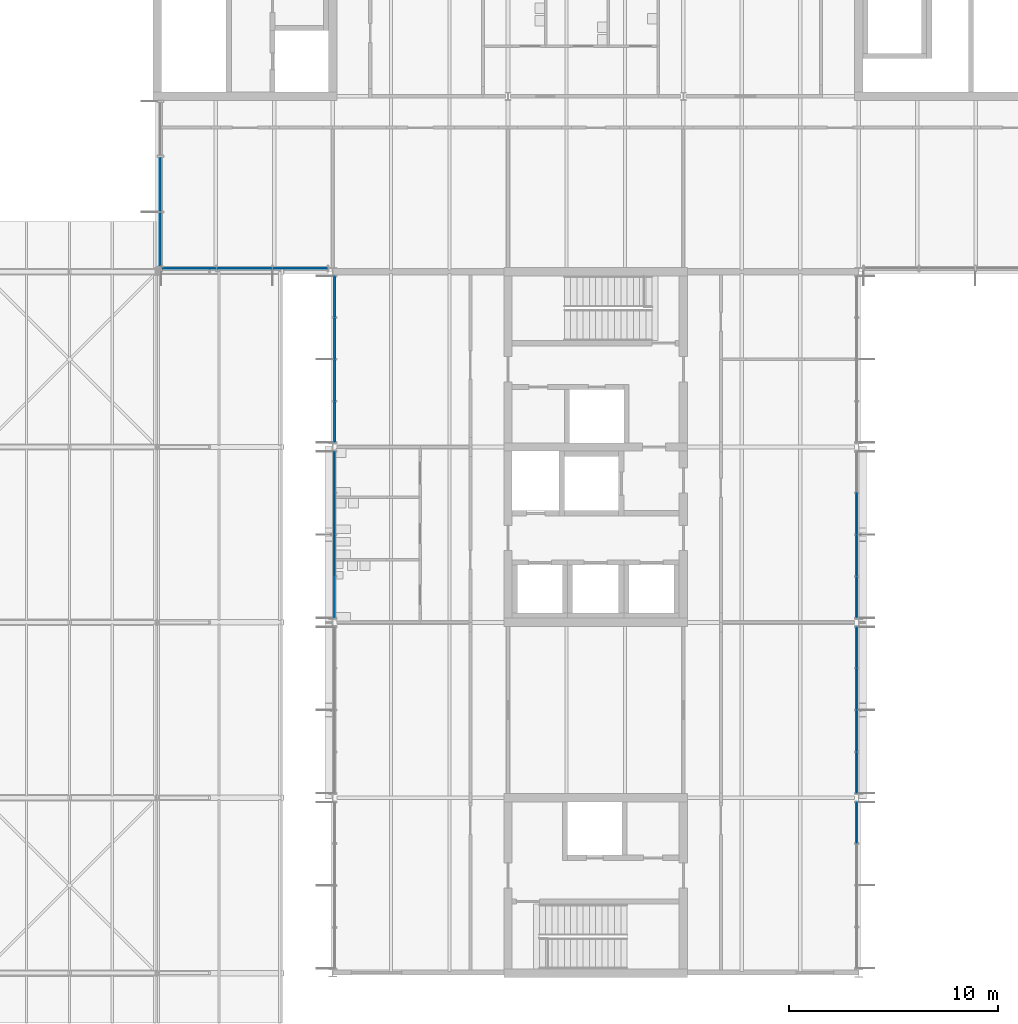
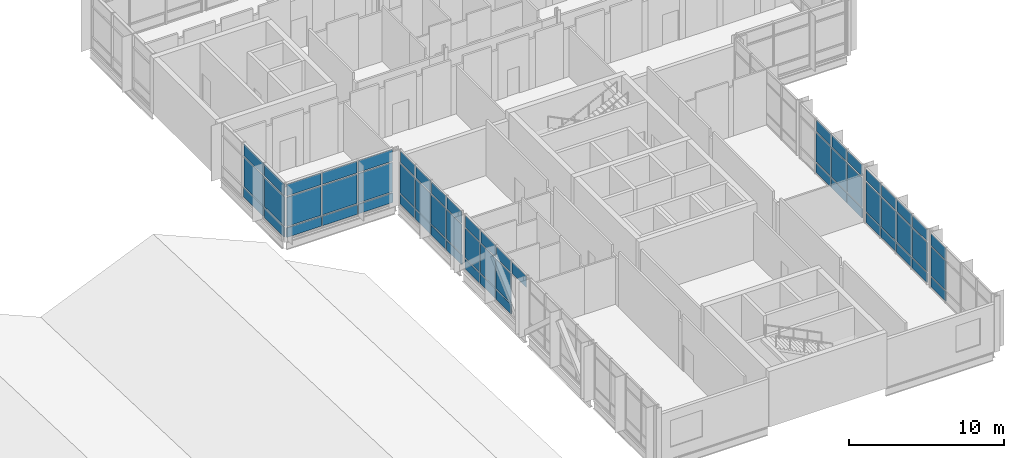
# One storey, part 28 of 76: 61 plates, 7 elements without a shape of their own.
"""IFC4 building model written with IfcOpenShell, lengths in metres."""

from ifc_helpers import new_model, si_unit, direction, frame, origin, origin_2d, place, context, subcontext, project, spatial, rectangle, extrude, material, layer, layer_set, type_object, element, aggregate, save


model = new_model("IFC4")

# Units and contexts
model_context = context("Model", 3, precision=1e-05, world=origin(), true_north=direction((0.0, 1.0)))
body_context = subcontext(model_context, "Body", "Model", "MODEL_VIEW")
ifc_project = project(units=[si_unit("LENGTHUNIT", "METRE"), si_unit("AREAUNIT", "SQUARE_METRE"), si_unit("VOLUMEUNIT", "CUBIC_METRE"), si_unit("PLANEANGLEUNIT", "RADIAN"), si_unit("MASSUNIT", "GRAM", prefix="KILO")], contexts=[model_context])

# Site, building, storey
site_placement = place(None, origin())
site = spatial("IfcSite", under=ifc_project, at=site_placement, CompositionType="ELEMENT")
building_placement = place(site_placement, origin())
building = spatial("IfcBuilding", under=site, at=building_placement, Name="Hlaing Beacon Police Headquarters", CompositionType="ELEMENT")
storey_placement = place(building_placement, frame((0.0, 0.0, 18.89990234375)))
storey = spatial("IfcBuildingStorey", under=building, at=storey_placement, Name="L04", CompositionType="ELEMENT", Elevation=18.89990234375)

# Curtain wall, plate
ifc_material_1 = material(Name="Aluminium frame with solar control glazing", Category="aluminium")
curtain_wall_type_1 = type_object("IfcCurtainWallType", Name="Unitised curtain wall 8.01 x 4.37", PredefinedType="NOTDEFINED", material=ifc_material_1)
curtain_wall_1_placement = place(storey_placement, origin())
curtain_wall_1 = element("IfcCurtainWall", 1, at=curtain_wall_1_placement, inside=storey, type_object=curtain_wall_type_1, Name="ENV-CW-L04-E004", PredefinedType="NOTDEFINED")
ifc_material_2 = material(Name="Solar control glazing", Category="glass")
ifc_layer_1 = layer(ifc_material_2, 0.0439453125)
ifc_layer_set_1 = layer_set([ifc_layer_1], Name="Solar control glazing")
plate_type_1 = type_object("IfcPlateType", Name="Clear glazing panel 44", PredefinedType="CURTAIN_PANEL", material=ifc_layer_set_1)
plate_1_placement = place(storey_placement, frame((125.89990234375, 40.7958984375, 0.9501953125), z_axis=(0.0, 0.0, 1.0), x_axis=(0.0, 1.0, 0.0)))
plate_1 = element("IfcPlate", 2, at=plate_1_placement, type_object=plate_type_1, Name="CW-L04-E004 panel 4.2", PredefinedType="CURTAIN_PANEL", context=body_context, shape_type="SweptSolid", body=[
    extrude(rectangle(XDim=1.912109375, YDim=0.0439453125, at=origin_2d()), origin(), (0.0, 0.0, 1.0), 2.300048828125),
])

# Curtain wall, plates
ifc_material_3 = material(Name="Aluminium frame with solar control glazing", Category="aluminium")
curtain_wall_type_2 = type_object("IfcCurtainWallType", Name="Unitised curtain wall 8.02 x 4.37", PredefinedType="NOTDEFINED", material=ifc_material_3)
curtain_wall_2_placement = place(storey_placement, origin())
curtain_wall_2 = element("IfcCurtainWall", 3, at=curtain_wall_2_placement, inside=storey, type_object=curtain_wall_type_2, Name="ENV-CW-L04-E005", PredefinedType="NOTDEFINED")
plate_2_placement = place(storey_placement, frame((125.909912109375, 45.197021484375, 0.9501953125), z_axis=(0.0, 0.0, 1.0), x_axis=(0.0, 1.0, 0.0)))
plate_2 = element("IfcPlate", 4, at=plate_2_placement, type_object=plate_type_1, Name="CW-L04-E005 panel 2.2", PredefinedType="CURTAIN_PANEL", context=body_context, shape_type="SweptSolid", body=[
    extrude(rectangle(XDim=1.946044921875, YDim=0.0439453125, at=origin_2d()), origin(), (0.0, 0.0, 1.0), 2.300048828125),
])
plate_3_placement = place(storey_placement, frame((125.909912109375, 49.194091796875, 0.9501953125), z_axis=(0.0, 0.0, 1.0), x_axis=(0.0, 1.0, 0.0)))
plate_3 = element("IfcPlate", 5, at=plate_3_placement, type_object=plate_type_1, Name="CW-L04-E005 panel 4.2", PredefinedType="CURTAIN_PANEL", context=body_context, shape_type="SweptSolid", body=[
    extrude(rectangle(XDim=1.916015625, YDim=0.0439453125, at=origin_2d()), origin(), (0.0, 0.0, 1.0), 2.300048828125),
])

# Curtain wall, plate
curtain_wall_3_placement = place(storey_placement, origin())
curtain_wall_3 = element("IfcCurtainWall", 6, at=curtain_wall_3_placement, inside=storey, type_object=curtain_wall_type_2, Name="ENV-CW-L04-E006", PredefinedType="NOTDEFINED")
plate_4_placement = place(storey_placement, frame((125.909912109375, 53.596923828125, 0.9501953125), z_axis=(0.0, 0.0, 1.0), x_axis=(0.0, 1.0, 0.0)))
plate_4 = element("IfcPlate", 7, at=plate_4_placement, type_object=plate_type_1, Name="CW-L04-E006 panel 2.2", PredefinedType="CURTAIN_PANEL", context=body_context, shape_type="SweptSolid", body=[
    extrude(rectangle(XDim=1.946044921875, YDim=0.0439453125, at=origin_2d()), origin(), (0.0, 0.0, 1.0), 2.300048828125),
])

# Curtain wall, plates
ifc_material_4 = material(Name="Aluminium frame with solar control glazing", Category="aluminium")
curtain_wall_type_3 = type_object("IfcCurtainWallType", Name="Unitised curtain wall 8.03 x 4.37", PredefinedType="NOTDEFINED", material=ifc_material_4)
curtain_wall_4_placement = place(storey_placement, origin())
curtain_wall_4 = element("IfcCurtainWall", 8, at=curtain_wall_4_placement, inside=storey, type_object=curtain_wall_type_3, Name="ENV-CW-L04-W019", PredefinedType="NOTDEFINED")
plate_5_placement = place(storey_placement, frame((100.89990234375, 64.00537109375, 0.9501953125), z_axis=(0.0, 0.0, 1.0), x_axis=(0.0, -1.0, 0.0)))
plate_5 = element("IfcPlate", 9, at=plate_5_placement, type_object=plate_type_1, Name="CW-L04-W019 panel 2.2", PredefinedType="CURTAIN_PANEL", context=body_context, shape_type="SweptSolid", body=[
    extrude(rectangle(XDim=1.947021484375, YDim=0.0439453125, at=origin_2d()), origin(), (0.0, 0.0, 1.0), 2.300048828125),
])
plate_6_placement = place(storey_placement, frame((100.89990234375, 60.006591796875, 0.9501953125), z_axis=(0.0, 0.0, 1.0), x_axis=(0.0, -1.0, 0.0)))
plate_6 = element("IfcPlate", 10, at=plate_6_placement, type_object=plate_type_1, Name="CW-L04-W019 panel 4.2", PredefinedType="CURTAIN_PANEL", context=body_context, shape_type="SweptSolid", body=[
    extrude(rectangle(XDim=1.9169921875, YDim=0.0439453125, at=origin_2d()), origin(), (0.0, 0.0, 1.0), 2.300048828125),
])

# Curtain wall, plate
curtain_wall_5_placement = place(storey_placement, origin())
curtain_wall_5 = element("IfcCurtainWall", 11, at=curtain_wall_5_placement, inside=storey, type_object=curtain_wall_type_2, Name="ENV-CW-L04-W020", PredefinedType="NOTDEFINED")
plate_7_placement = place(storey_placement, frame((100.889892578125, 55.60302734375, 0.9501953125), z_axis=(0.0, 0.0, 1.0), x_axis=(0.0, -1.0, 0.0)))
plate_7 = element("IfcPlate", 12, at=plate_7_placement, type_object=plate_type_1, Name="CW-L04-W020 panel 2.2", PredefinedType="CURTAIN_PANEL", context=body_context, shape_type="SweptSolid", body=[
    extrude(rectangle(XDim=1.946044921875, YDim=0.0439453125, at=origin_2d()), origin(), (0.0, 0.0, 1.0), 2.300048828125),
])

# Plate
ifc_material_5 = material(Name="Fritted solar control glazing", Category="glass")
ifc_layer_2 = layer(ifc_material_5, 0.0439453125)
ifc_layer_set_2 = layer_set([ifc_layer_2], Name="Fritted solar control glazing")
plate_type_2 = type_object("IfcPlateType", Name="Fritted glazing panel 44", PredefinedType="CURTAIN_PANEL", material=ifc_layer_set_2)
plate_8_placement = place(storey_placement, frame((125.909912109375, 43.2060546875, 0.9501953125), z_axis=(0.0, 0.0, 1.0), x_axis=(0.0, 1.0, 0.0)))
plate_8 = element("IfcPlate", 13, at=plate_8_placement, type_object=plate_type_2, Name="CW-L04-E005 panel 1.2", PredefinedType="CURTAIN_PANEL", context=body_context, shape_type="SweptSolid", body=[
    extrude(rectangle(XDim=1.916015625, YDim=0.0439453125, at=origin_2d()), origin(), (0.0, 0.0, 1.0), 2.300048828125),
])

plate_9_placement = place(storey_placement, frame((125.909912109375, 47.202880859375, 0.9501953125), z_axis=(0.0, 0.0, 1.0), x_axis=(0.0, 1.0, 0.0)))
plate_9 = element("IfcPlate", 14, at=plate_9_placement, type_object=plate_type_2, Name="CW-L04-E005 panel 3.2", PredefinedType="CURTAIN_PANEL", context=body_context, shape_type="SweptSolid", body=[
    extrude(rectangle(XDim=1.946044921875, YDim=0.0439453125, at=origin_2d()), origin(), (0.0, 0.0, 1.0), 2.300048828125),
])

plate_10_placement = place(storey_placement, frame((125.909912109375, 51.60595703125, 0.9501953125), z_axis=(0.0, 0.0, 1.0), x_axis=(0.0, 1.0, 0.0)))
plate_10 = element("IfcPlate", 15, at=plate_10_placement, type_object=plate_type_2, Name="CW-L04-E006 panel 1.2", PredefinedType="CURTAIN_PANEL", context=body_context, shape_type="SweptSolid", body=[
    extrude(rectangle(XDim=1.916015625, YDim=0.0439453125, at=origin_2d()), origin(), (0.0, 0.0, 1.0), 2.300048828125),
])

plate_11_placement = place(storey_placement, frame((125.909912109375, 55.60302734375, 0.9501953125), z_axis=(0.0, 0.0, 1.0), x_axis=(0.0, 1.0, 0.0)))
plate_11 = element("IfcPlate", 16, at=plate_11_placement, type_object=plate_type_2, Name="CW-L04-E006 panel 3.2", PredefinedType="CURTAIN_PANEL", context=body_context, shape_type="SweptSolid", body=[
    extrude(rectangle(XDim=1.946044921875, YDim=0.0439453125, at=origin_2d()), origin(), (0.0, 0.0, 1.0), 2.300048828125),
])

plate_12_placement = place(storey_placement, frame((100.89990234375, 65.997314453125, 0.9501953125), z_axis=(0.0, 0.0, 1.0), x_axis=(0.0, -1.0, 0.0)))
plate_12 = element("IfcPlate", 17, at=plate_12_placement, type_object=plate_type_2, Name="CW-L04-W019 panel 1.2", PredefinedType="CURTAIN_PANEL", context=body_context, shape_type="SweptSolid", body=[
    extrude(rectangle(XDim=1.9169921875, YDim=0.0439453125, at=origin_2d()), origin(), (0.0, 0.0, 1.0), 2.300048828125),
])

plate_13_placement = place(storey_placement, frame((100.89990234375, 61.99853515625, 0.9501953125), z_axis=(0.0, 0.0, 1.0), x_axis=(0.0, -1.0, 0.0)))
plate_13 = element("IfcPlate", 18, at=plate_13_placement, type_object=plate_type_2, Name="CW-L04-W019 panel 3.2", PredefinedType="CURTAIN_PANEL", context=body_context, shape_type="SweptSolid", body=[
    extrude(rectangle(XDim=1.947021484375, YDim=0.0439453125, at=origin_2d()), origin(), (0.0, 0.0, 1.0), 2.300048828125),
])

plate_14_placement = place(storey_placement, frame((100.889892578125, 57.593994140625, 0.9501953125), z_axis=(0.0, 0.0, 1.0), x_axis=(0.0, -1.0, 0.0)))
plate_14 = element("IfcPlate", 19, at=plate_14_placement, type_object=plate_type_2, Name="CW-L04-W020 panel 1.2", PredefinedType="CURTAIN_PANEL", context=body_context, shape_type="SweptSolid", body=[
    extrude(rectangle(XDim=1.916015625, YDim=0.0439453125, at=origin_2d()), origin(), (0.0, 0.0, 1.0), 2.300048828125),
])

plate_15_placement = place(storey_placement, frame((100.889892578125, 53.596923828125, 0.9501953125), z_axis=(0.0, 0.0, 1.0), x_axis=(0.0, -1.0, 0.0)))
plate_15 = element("IfcPlate", 20, at=plate_15_placement, type_object=plate_type_2, Name="CW-L04-W020 panel 3.2", PredefinedType="CURTAIN_PANEL", context=body_context, shape_type="SweptSolid", body=[
    extrude(rectangle(XDim=1.946044921875, YDim=0.0439453125, at=origin_2d()), origin(), (0.0, 0.0, 1.0), 2.300048828125),
])

ifc_material_6 = material(Name="Insulated aluminium spandrel", Category="aluminium")
ifc_layer_3 = layer(ifc_material_6, 0.06005859375)
ifc_layer_set_3 = layer_set([ifc_layer_3], Name="Insulated aluminium spandrel")
plate_type_3 = type_object("IfcPlateType", Name="Insulated spandrel panel 60", PredefinedType="CURTAIN_PANEL", material=ifc_layer_set_3)
plate_16_placement = place(storey_placement, frame((125.89990234375, 40.7958984375, 0.10009765625), z_axis=(0.0, 0.0, 1.0), x_axis=(0.0, 1.0, 0.0)))
plate_16 = element("IfcPlate", 21, at=plate_16_placement, type_object=plate_type_3, Name="CW-L04-E004 panel 4.1", PredefinedType="CURTAIN_PANEL", context=body_context, shape_type="SweptSolid", body=[
    extrude(rectangle(XDim=1.912109375, YDim=0.06005859375, at=origin_2d()), origin(), (0.0, 0.0, 1.0), 0.75),
])

plate_17_placement = place(storey_placement, frame((125.909912109375, 43.2060546875, 0.10009765625), z_axis=(0.0, 0.0, 1.0), x_axis=(0.0, 1.0, 0.0)))
plate_17 = element("IfcPlate", 22, at=plate_17_placement, type_object=plate_type_3, Name="CW-L04-E005 panel 1.1", PredefinedType="CURTAIN_PANEL", context=body_context, shape_type="SweptSolid", body=[
    extrude(rectangle(XDim=1.916015625, YDim=0.06005859375, at=origin_2d()), origin(), (0.0, 0.0, 1.0), 0.75),
])

plate_18_placement = place(storey_placement, frame((125.909912109375, 45.197021484375, 0.10009765625), z_axis=(0.0, 0.0, 1.0), x_axis=(0.0, 1.0, 0.0)))
plate_18 = element("IfcPlate", 23, at=plate_18_placement, type_object=plate_type_3, Name="CW-L04-E005 panel 2.1", PredefinedType="CURTAIN_PANEL", context=body_context, shape_type="SweptSolid", body=[
    extrude(rectangle(XDim=1.946044921875, YDim=0.06005859375, at=origin_2d()), origin(), (0.0, 0.0, 1.0), 0.75),
])

plate_19_placement = place(storey_placement, frame((125.909912109375, 47.202880859375, 0.10009765625), z_axis=(0.0, 0.0, 1.0), x_axis=(0.0, 1.0, 0.0)))
plate_19 = element("IfcPlate", 24, at=plate_19_placement, type_object=plate_type_3, Name="CW-L04-E005 panel 3.1", PredefinedType="CURTAIN_PANEL", context=body_context, shape_type="SweptSolid", body=[
    extrude(rectangle(XDim=1.946044921875, YDim=0.06005859375, at=origin_2d()), origin(), (0.0, 0.0, 1.0), 0.75),
])

plate_20_placement = place(storey_placement, frame((125.909912109375, 49.194091796875, 0.10009765625), z_axis=(0.0, 0.0, 1.0), x_axis=(0.0, 1.0, 0.0)))
plate_20 = element("IfcPlate", 25, at=plate_20_placement, type_object=plate_type_3, Name="CW-L04-E005 panel 4.1", PredefinedType="CURTAIN_PANEL", context=body_context, shape_type="SweptSolid", body=[
    extrude(rectangle(XDim=1.916015625, YDim=0.06005859375, at=origin_2d()), origin(), (0.0, 0.0, 1.0), 0.75),
])

plate_21_placement = place(storey_placement, frame((125.909912109375, 51.60595703125, 0.10009765625), z_axis=(0.0, 0.0, 1.0), x_axis=(0.0, 1.0, 0.0)))
plate_21 = element("IfcPlate", 26, at=plate_21_placement, type_object=plate_type_3, Name="CW-L04-E006 panel 1.1", PredefinedType="CURTAIN_PANEL", context=body_context, shape_type="SweptSolid", body=[
    extrude(rectangle(XDim=1.916015625, YDim=0.06005859375, at=origin_2d()), origin(), (0.0, 0.0, 1.0), 0.75),
])

plate_22_placement = place(storey_placement, frame((125.909912109375, 53.596923828125, 0.10009765625), z_axis=(0.0, 0.0, 1.0), x_axis=(0.0, 1.0, 0.0)))
plate_22 = element("IfcPlate", 27, at=plate_22_placement, type_object=plate_type_3, Name="CW-L04-E006 panel 2.1", PredefinedType="CURTAIN_PANEL", context=body_context, shape_type="SweptSolid", body=[
    extrude(rectangle(XDim=1.946044921875, YDim=0.06005859375, at=origin_2d()), origin(), (0.0, 0.0, 1.0), 0.75),
])

plate_23_placement = place(storey_placement, frame((125.909912109375, 55.60302734375, 0.10009765625), z_axis=(0.0, 0.0, 1.0), x_axis=(0.0, 1.0, 0.0)))
plate_23 = element("IfcPlate", 28, at=plate_23_placement, type_object=plate_type_3, Name="CW-L04-E006 panel 3.1", PredefinedType="CURTAIN_PANEL", context=body_context, shape_type="SweptSolid", body=[
    extrude(rectangle(XDim=1.946044921875, YDim=0.06005859375, at=origin_2d()), origin(), (0.0, 0.0, 1.0), 0.75),
])

# Curtain wall, plates
ifc_material_7 = material(Name="Aluminium frame with solar control glazing", Category="aluminium")
curtain_wall_type_4 = type_object("IfcCurtainWallType", Name="Structural glazed gable wall 8.02 x 4.37", PredefinedType="NOTDEFINED", material=ifc_material_7)
curtain_wall_6_placement = place(storey_placement, origin())
curtain_wall_6 = element("IfcCurtainWall", 29, at=curtain_wall_6_placement, inside=storey, type_object=curtain_wall_type_4, Name="ENV-CW-L04-W017", PredefinedType="NOTDEFINED")
ifc_material_8 = material(Name="Insulated aluminium spandrel", Category="aluminium")
ifc_layer_4 = layer(ifc_material_8, 0.080078125)
ifc_layer_set_4 = layer_set([ifc_layer_4], Name="Insulated aluminium spandrel")
plate_type_4 = type_object("IfcPlateType", Name="Insulated spandrel panel 80", PredefinedType="CURTAIN_PANEL", material=ifc_layer_set_4)
plate_24_placement = place(storey_placement, frame((92.550048828125, 71.38818359375, 0.10009765625), z_axis=(0.0, 0.0, 1.0), x_axis=(0.0, -1.0, 0.0)))
plate_24 = element("IfcPlate", 30, at=plate_24_placement, type_object=plate_type_4, Name="CW-L04-W017 panel 2.1", PredefinedType="CURTAIN_PANEL", context=body_context, shape_type="SweptSolid", body=[
    extrude(rectangle(XDim=2.594482421875, YDim=0.080078125, at=origin_2d()), origin(), (0.0, 0.0, 1.0), 0.75),
])
plate_25_placement = place(storey_placement, frame((92.550048828125, 68.733642578125, 0.10009765625), z_axis=(0.0, 0.0, 1.0), x_axis=(0.0, -1.0, 0.0)))
plate_25 = element("IfcPlate", 31, at=plate_25_placement, type_object=plate_type_4, Name="CW-L04-W017 panel 3.1", PredefinedType="CURTAIN_PANEL", context=body_context, shape_type="SweptSolid", body=[
    extrude(rectangle(XDim=2.554443359375, YDim=0.080078125, at=origin_2d()), origin(), (0.0, 0.0, 1.0), 0.75),
])

ifc_material_9 = material(Name="Aluminium frame with solar control glazing", Category="aluminium")
curtain_wall_type_5 = type_object("IfcCurtainWallType", Name="Structural glazed gable wall 8.06 x 4.37", PredefinedType="NOTDEFINED", material=ifc_material_9)
curtain_wall_7_placement = place(storey_placement, origin())
curtain_wall_7 = element("IfcCurtainWall", 32, at=curtain_wall_7_placement, inside=storey, type_object=curtain_wall_type_5, Name="ENV-CW-L04-S018", PredefinedType="NOTDEFINED")
plate_26_placement = place(storey_placement, frame((93.913818359375, 67.35009765625, 0.10009765625), z_axis=(0.0, 0.0, 1.0), x_axis=(1.0, 0.0, 0.0)))
plate_26 = element("IfcPlate", 33, at=plate_26_placement, type_object=plate_type_4, Name="CW-L04-S018 panel 1.1", PredefinedType="CURTAIN_PANEL", context=body_context, shape_type="SweptSolid", body=[
    extrude(rectangle(XDim=2.56787109375, YDim=0.080078125, at=origin_2d()), origin(), (0.0, 0.0, 1.0), 0.75),
])
plate_27_placement = place(storey_placement, frame((96.58154296875, 67.35009765625, 0.10009765625), z_axis=(0.0, 0.0, 1.0), x_axis=(1.0, 0.0, 0.0)))
plate_27 = element("IfcPlate", 34, at=plate_27_placement, type_object=plate_type_4, Name="CW-L04-S018 panel 2.1", PredefinedType="CURTAIN_PANEL", context=body_context, shape_type="SweptSolid", body=[
    extrude(rectangle(XDim=2.607666015625, YDim=0.080078125, at=origin_2d()), origin(), (0.0, 0.0, 1.0), 0.75),
])
plate_28_placement = place(storey_placement, frame((99.24951171875, 67.35009765625, 0.10009765625), z_axis=(0.0, 0.0, 1.0), x_axis=(1.0, 0.0, 0.0)))
plate_28 = element("IfcPlate", 35, at=plate_28_placement, type_object=plate_type_4, Name="CW-L04-S018 panel 3.1", PredefinedType="CURTAIN_PANEL", context=body_context, shape_type="SweptSolid", body=[
    extrude(rectangle(XDim=2.56787109375, YDim=0.080078125, at=origin_2d()), origin(), (0.0, 0.0, 1.0), 0.75),
])

# Plate
plate_29_placement = place(storey_placement, frame((100.89990234375, 65.997314453125, 0.10009765625), z_axis=(0.0, 0.0, 1.0), x_axis=(0.0, -1.0, 0.0)))
plate_29 = element("IfcPlate", 36, at=plate_29_placement, type_object=plate_type_4, Name="CW-L04-W019 panel 1.1", PredefinedType="CURTAIN_PANEL", context=body_context, shape_type="SweptSolid", body=[
    extrude(rectangle(XDim=1.9169921875, YDim=0.080078125, at=origin_2d()), origin(), (0.0, 0.0, 1.0), 0.75),
])

plate_30_placement = place(storey_placement, frame((100.89990234375, 64.00537109375, 0.10009765625), z_axis=(0.0, 0.0, 1.0), x_axis=(0.0, -1.0, 0.0)))
plate_30 = element("IfcPlate", 37, at=plate_30_placement, type_object=plate_type_4, Name="CW-L04-W019 panel 2.1", PredefinedType="CURTAIN_PANEL", context=body_context, shape_type="SweptSolid", body=[
    extrude(rectangle(XDim=1.947021484375, YDim=0.080078125, at=origin_2d()), origin(), (0.0, 0.0, 1.0), 0.75),
])

plate_31_placement = place(storey_placement, frame((100.89990234375, 61.99853515625, 0.10009765625), z_axis=(0.0, 0.0, 1.0), x_axis=(0.0, -1.0, 0.0)))
plate_31 = element("IfcPlate", 38, at=plate_31_placement, type_object=plate_type_4, Name="CW-L04-W019 panel 3.1", PredefinedType="CURTAIN_PANEL", context=body_context, shape_type="SweptSolid", body=[
    extrude(rectangle(XDim=1.947021484375, YDim=0.080078125, at=origin_2d()), origin(), (0.0, 0.0, 1.0), 0.75),
])

plate_32_placement = place(storey_placement, frame((100.89990234375, 60.006591796875, 0.10009765625), z_axis=(0.0, 0.0, 1.0), x_axis=(0.0, -1.0, 0.0)))
plate_32 = element("IfcPlate", 39, at=plate_32_placement, type_object=plate_type_4, Name="CW-L04-W019 panel 4.1", PredefinedType="CURTAIN_PANEL", context=body_context, shape_type="SweptSolid", body=[
    extrude(rectangle(XDim=1.9169921875, YDim=0.080078125, at=origin_2d()), origin(), (0.0, 0.0, 1.0), 0.75),
])

plate_33_placement = place(storey_placement, frame((100.889892578125, 57.593994140625, 0.10009765625), z_axis=(0.0, 0.0, 1.0), x_axis=(0.0, -1.0, 0.0)))
plate_33 = element("IfcPlate", 40, at=plate_33_placement, type_object=plate_type_4, Name="CW-L04-W020 panel 1.1", PredefinedType="CURTAIN_PANEL", context=body_context, shape_type="SweptSolid", body=[
    extrude(rectangle(XDim=1.916015625, YDim=0.080078125, at=origin_2d()), origin(), (0.0, 0.0, 1.0), 0.75),
])

plate_34_placement = place(storey_placement, frame((100.889892578125, 55.60302734375, 0.10009765625), z_axis=(0.0, 0.0, 1.0), x_axis=(0.0, -1.0, 0.0)))
plate_34 = element("IfcPlate", 41, at=plate_34_placement, type_object=plate_type_4, Name="CW-L04-W020 panel 2.1", PredefinedType="CURTAIN_PANEL", context=body_context, shape_type="SweptSolid", body=[
    extrude(rectangle(XDim=1.946044921875, YDim=0.080078125, at=origin_2d()), origin(), (0.0, 0.0, 1.0), 0.75),
])

plate_35_placement = place(storey_placement, frame((100.889892578125, 53.596923828125, 0.10009765625), z_axis=(0.0, 0.0, 1.0), x_axis=(0.0, -1.0, 0.0)))
plate_35 = element("IfcPlate", 42, at=plate_35_placement, type_object=plate_type_4, Name="CW-L04-W020 panel 3.1", PredefinedType="CURTAIN_PANEL", context=body_context, shape_type="SweptSolid", body=[
    extrude(rectangle(XDim=1.946044921875, YDim=0.080078125, at=origin_2d()), origin(), (0.0, 0.0, 1.0), 0.75),
])

ifc_material_10 = material(Name="Laminated solar control glazing", Category="glass")
ifc_layer_5 = layer(ifc_material_10, 0.031982421875)
ifc_layer_set_5 = layer_set([ifc_layer_5], Name="Laminated solar control glazing")
plate_type_5 = type_object("IfcPlateType", Name="Laminated glazing panel 32", PredefinedType="CURTAIN_PANEL", material=ifc_layer_set_5)
plate_36_placement = place(storey_placement, frame((92.550048828125, 71.38818359375, 3.35009765625), z_axis=(0.0, 0.0, 1.0), x_axis=(0.0, -1.0, 0.0)))
plate_36 = element("IfcPlate", 43, at=plate_36_placement, type_object=plate_type_5, Name="CW-L04-W017 panel 2.3", PredefinedType="CURTAIN_PANEL", context=body_context, shape_type="SweptSolid", body=[
    extrude(rectangle(XDim=2.594482421875, YDim=0.031982421875, at=origin_2d()), origin(), (0.0, 0.0, 1.0), 0.919921875),
])

plate_37_placement = place(storey_placement, frame((92.550048828125, 68.733642578125, 3.35009765625), z_axis=(0.0, 0.0, 1.0), x_axis=(0.0, -1.0, 0.0)))
plate_37 = element("IfcPlate", 44, at=plate_37_placement, type_object=plate_type_5, Name="CW-L04-W017 panel 3.3", PredefinedType="CURTAIN_PANEL", context=body_context, shape_type="SweptSolid", body=[
    extrude(rectangle(XDim=2.554443359375, YDim=0.031982421875, at=origin_2d()), origin(), (0.0, 0.0, 1.0), 0.919921875),
])

plate_38_placement = place(storey_placement, frame((93.913818359375, 67.35009765625, 3.35009765625), z_axis=(0.0, 0.0, 1.0), x_axis=(1.0, 0.0, 0.0)))
plate_38 = element("IfcPlate", 45, at=plate_38_placement, type_object=plate_type_5, Name="CW-L04-S018 panel 1.3", PredefinedType="CURTAIN_PANEL", context=body_context, shape_type="SweptSolid", body=[
    extrude(rectangle(XDim=2.56787109375, YDim=0.031982421875, at=origin_2d()), origin(), (0.0, 0.0, 1.0), 0.919921875),
])

plate_39_placement = place(storey_placement, frame((96.58154296875, 67.35009765625, 3.35009765625), z_axis=(0.0, 0.0, 1.0), x_axis=(1.0, 0.0, 0.0)))
plate_39 = element("IfcPlate", 46, at=plate_39_placement, type_object=plate_type_5, Name="CW-L04-S018 panel 2.3", PredefinedType="CURTAIN_PANEL", context=body_context, shape_type="SweptSolid", body=[
    extrude(rectangle(XDim=2.607666015625, YDim=0.031982421875, at=origin_2d()), origin(), (0.0, 0.0, 1.0), 0.919921875),
])

plate_40_placement = place(storey_placement, frame((99.24951171875, 67.35009765625, 3.35009765625), z_axis=(0.0, 0.0, 1.0), x_axis=(1.0, 0.0, 0.0)))
plate_40 = element("IfcPlate", 47, at=plate_40_placement, type_object=plate_type_5, Name="CW-L04-S018 panel 3.3", PredefinedType="CURTAIN_PANEL", context=body_context, shape_type="SweptSolid", body=[
    extrude(rectangle(XDim=2.56787109375, YDim=0.031982421875, at=origin_2d()), origin(), (0.0, 0.0, 1.0), 0.919921875),
])

ifc_material_11 = material(Name="Laminated solar control glazing", Category="glass")
ifc_layer_6 = layer(ifc_material_11, 0.0439453125)
ifc_layer_set_6 = layer_set([ifc_layer_6], Name="Laminated solar control glazing")
plate_type_6 = type_object("IfcPlateType", Name="Laminated glazing panel 44", PredefinedType="CURTAIN_PANEL", material=ifc_layer_set_6)
plate_41_placement = place(storey_placement, frame((92.550048828125, 71.38818359375, 0.9501953125), z_axis=(0.0, 0.0, 1.0), x_axis=(0.0, -1.0, 0.0)))
plate_41 = element("IfcPlate", 48, at=plate_41_placement, type_object=plate_type_6, Name="CW-L04-W017 panel 2.2", PredefinedType="CURTAIN_PANEL", context=body_context, shape_type="SweptSolid", body=[
    extrude(rectangle(XDim=2.594482421875, YDim=0.0439453125, at=origin_2d()), origin(), (0.0, 0.0, 1.0), 2.300048828125),
])

plate_42_placement = place(storey_placement, frame((92.550048828125, 68.733642578125, 0.9501953125), z_axis=(0.0, 0.0, 1.0), x_axis=(0.0, -1.0, 0.0)))
plate_42 = element("IfcPlate", 49, at=plate_42_placement, type_object=plate_type_6, Name="CW-L04-W017 panel 3.2", PredefinedType="CURTAIN_PANEL", context=body_context, shape_type="SweptSolid", body=[
    extrude(rectangle(XDim=2.554443359375, YDim=0.0439453125, at=origin_2d()), origin(), (0.0, 0.0, 1.0), 2.300048828125),
])

aggregate(curtain_wall_6, [plate_24, plate_41, plate_36, plate_25, plate_42, plate_37])

plate_43_placement = place(storey_placement, frame((93.913818359375, 67.35009765625, 0.9501953125), z_axis=(0.0, 0.0, 1.0), x_axis=(1.0, 0.0, 0.0)))
plate_43 = element("IfcPlate", 50, at=plate_43_placement, type_object=plate_type_6, Name="CW-L04-S018 panel 1.2", PredefinedType="CURTAIN_PANEL", context=body_context, shape_type="SweptSolid", body=[
    extrude(rectangle(XDim=2.56787109375, YDim=0.0439453125, at=origin_2d()), origin(), (0.0, 0.0, 1.0), 2.300048828125),
])

plate_44_placement = place(storey_placement, frame((96.58154296875, 67.35009765625, 0.9501953125), z_axis=(0.0, 0.0, 1.0), x_axis=(1.0, 0.0, 0.0)))
plate_44 = element("IfcPlate", 51, at=plate_44_placement, type_object=plate_type_6, Name="CW-L04-S018 panel 2.2", PredefinedType="CURTAIN_PANEL", context=body_context, shape_type="SweptSolid", body=[
    extrude(rectangle(XDim=2.607666015625, YDim=0.0439453125, at=origin_2d()), origin(), (0.0, 0.0, 1.0), 2.300048828125),
])

plate_45_placement = place(storey_placement, frame((99.24951171875, 67.35009765625, 0.9501953125), z_axis=(0.0, 0.0, 1.0), x_axis=(1.0, 0.0, 0.0)))
plate_45 = element("IfcPlate", 52, at=plate_45_placement, type_object=plate_type_6, Name="CW-L04-S018 panel 3.2", PredefinedType="CURTAIN_PANEL", context=body_context, shape_type="SweptSolid", body=[
    extrude(rectangle(XDim=2.56787109375, YDim=0.0439453125, at=origin_2d()), origin(), (0.0, 0.0, 1.0), 2.300048828125),
])

aggregate(curtain_wall_7, [plate_26, plate_43, plate_38, plate_27, plate_44, plate_39, plate_28, plate_45, plate_40])

ifc_material_12 = material(Name="Perforated aluminium", Category="aluminium")
ifc_layer_7 = layer(ifc_material_12, 0.00390625)
ifc_layer_set_7 = layer_set([ifc_layer_7], Name="Perforated aluminium")
plate_type_7 = type_object("IfcPlateType", Name="Perforated aluminium vent panel 4", PredefinedType="CURTAIN_PANEL", material=ifc_layer_set_7)
plate_46_placement = place(storey_placement, frame((125.89990234375, 40.7958984375, 3.35009765625), z_axis=(0.0, 0.0, 1.0), x_axis=(0.0, 1.0, 0.0)))
plate_46 = element("IfcPlate", 53, at=plate_46_placement, type_object=plate_type_7, Name="CW-L04-E004 panel 4.3", PredefinedType="CURTAIN_PANEL", context=body_context, shape_type="SweptSolid", body=[
    extrude(rectangle(XDim=1.912109375, YDim=0.00390625, at=origin_2d()), origin(), (0.0, 0.0, 1.0), 0.919921875),
])

aggregate(curtain_wall_1, [plate_16, plate_1, plate_46])

plate_47_placement = place(storey_placement, frame((125.909912109375, 43.2060546875, 3.35009765625), z_axis=(0.0, 0.0, 1.0), x_axis=(0.0, 1.0, 0.0)))
plate_47 = element("IfcPlate", 54, at=plate_47_placement, type_object=plate_type_7, Name="CW-L04-E005 panel 1.3", PredefinedType="CURTAIN_PANEL", context=body_context, shape_type="SweptSolid", body=[
    extrude(rectangle(XDim=1.916015625, YDim=0.00390625, at=origin_2d()), origin(), (0.0, 0.0, 1.0), 0.919921875),
])

plate_48_placement = place(storey_placement, frame((125.909912109375, 45.197021484375, 3.35009765625), z_axis=(0.0, 0.0, 1.0), x_axis=(0.0, 1.0, 0.0)))
plate_48 = element("IfcPlate", 55, at=plate_48_placement, type_object=plate_type_7, Name="CW-L04-E005 panel 2.3", PredefinedType="CURTAIN_PANEL", context=body_context, shape_type="SweptSolid", body=[
    extrude(rectangle(XDim=1.946044921875, YDim=0.00390625, at=origin_2d()), origin(), (0.0, 0.0, 1.0), 0.919921875),
])

plate_49_placement = place(storey_placement, frame((125.909912109375, 47.202880859375, 3.35009765625), z_axis=(0.0, 0.0, 1.0), x_axis=(0.0, 1.0, 0.0)))
plate_49 = element("IfcPlate", 56, at=plate_49_placement, type_object=plate_type_7, Name="CW-L04-E005 panel 3.3", PredefinedType="CURTAIN_PANEL", context=body_context, shape_type="SweptSolid", body=[
    extrude(rectangle(XDim=1.946044921875, YDim=0.00390625, at=origin_2d()), origin(), (0.0, 0.0, 1.0), 0.919921875),
])

plate_50_placement = place(storey_placement, frame((125.909912109375, 49.194091796875, 3.35009765625), z_axis=(0.0, 0.0, 1.0), x_axis=(0.0, 1.0, 0.0)))
plate_50 = element("IfcPlate", 57, at=plate_50_placement, type_object=plate_type_7, Name="CW-L04-E005 panel 4.3", PredefinedType="CURTAIN_PANEL", context=body_context, shape_type="SweptSolid", body=[
    extrude(rectangle(XDim=1.916015625, YDim=0.00390625, at=origin_2d()), origin(), (0.0, 0.0, 1.0), 0.919921875),
])

aggregate(curtain_wall_2, [plate_17, plate_8, plate_47, plate_18, plate_2, plate_48, plate_19, plate_9, plate_49, plate_20, plate_3, plate_50])

plate_51_placement = place(storey_placement, frame((125.909912109375, 51.60595703125, 3.35009765625), z_axis=(0.0, 0.0, 1.0), x_axis=(0.0, 1.0, 0.0)))
plate_51 = element("IfcPlate", 58, at=plate_51_placement, type_object=plate_type_7, Name="CW-L04-E006 panel 1.3", PredefinedType="CURTAIN_PANEL", context=body_context, shape_type="SweptSolid", body=[
    extrude(rectangle(XDim=1.916015625, YDim=0.00390625, at=origin_2d()), origin(), (0.0, 0.0, 1.0), 0.919921875),
])

plate_52_placement = place(storey_placement, frame((125.909912109375, 53.596923828125, 3.35009765625), z_axis=(0.0, 0.0, 1.0), x_axis=(0.0, 1.0, 0.0)))
plate_52 = element("IfcPlate", 59, at=plate_52_placement, type_object=plate_type_7, Name="CW-L04-E006 panel 2.3", PredefinedType="CURTAIN_PANEL", context=body_context, shape_type="SweptSolid", body=[
    extrude(rectangle(XDim=1.946044921875, YDim=0.00390625, at=origin_2d()), origin(), (0.0, 0.0, 1.0), 0.919921875),
])

plate_53_placement = place(storey_placement, frame((125.909912109375, 55.60302734375, 3.35009765625), z_axis=(0.0, 0.0, 1.0), x_axis=(0.0, 1.0, 0.0)))
plate_53 = element("IfcPlate", 60, at=plate_53_placement, type_object=plate_type_7, Name="CW-L04-E006 panel 3.3", PredefinedType="CURTAIN_PANEL", context=body_context, shape_type="SweptSolid", body=[
    extrude(rectangle(XDim=1.946044921875, YDim=0.00390625, at=origin_2d()), origin(), (0.0, 0.0, 1.0), 0.919921875),
])

aggregate(curtain_wall_3, [plate_21, plate_10, plate_51, plate_22, plate_4, plate_52, plate_23, plate_11, plate_53])

plate_54_placement = place(storey_placement, frame((100.89990234375, 65.997314453125, 3.35009765625), z_axis=(0.0, 0.0, 1.0), x_axis=(0.0, -1.0, 0.0)))
plate_54 = element("IfcPlate", 61, at=plate_54_placement, type_object=plate_type_7, Name="CW-L04-W019 panel 1.3", PredefinedType="CURTAIN_PANEL", context=body_context, shape_type="SweptSolid", body=[
    extrude(rectangle(XDim=1.9169921875, YDim=0.00390625, at=origin_2d()), origin(), (0.0, 0.0, 1.0), 0.919921875),
])

plate_55_placement = place(storey_placement, frame((100.89990234375, 64.00537109375, 3.35009765625), z_axis=(0.0, 0.0, 1.0), x_axis=(0.0, -1.0, 0.0)))
plate_55 = element("IfcPlate", 62, at=plate_55_placement, type_object=plate_type_7, Name="CW-L04-W019 panel 2.3", PredefinedType="CURTAIN_PANEL", context=body_context, shape_type="SweptSolid", body=[
    extrude(rectangle(XDim=1.947021484375, YDim=0.00390625, at=origin_2d()), origin(), (0.0, 0.0, 1.0), 0.919921875),
])

plate_56_placement = place(storey_placement, frame((100.89990234375, 61.99853515625, 3.35009765625), z_axis=(0.0, 0.0, 1.0), x_axis=(0.0, -1.0, 0.0)))
plate_56 = element("IfcPlate", 63, at=plate_56_placement, type_object=plate_type_7, Name="CW-L04-W019 panel 3.3", PredefinedType="CURTAIN_PANEL", context=body_context, shape_type="SweptSolid", body=[
    extrude(rectangle(XDim=1.947021484375, YDim=0.00390625, at=origin_2d()), origin(), (0.0, 0.0, 1.0), 0.919921875),
])

plate_57_placement = place(storey_placement, frame((100.89990234375, 60.006591796875, 3.35009765625), z_axis=(0.0, 0.0, 1.0), x_axis=(0.0, -1.0, 0.0)))
plate_57 = element("IfcPlate", 64, at=plate_57_placement, type_object=plate_type_7, Name="CW-L04-W019 panel 4.3", PredefinedType="CURTAIN_PANEL", context=body_context, shape_type="SweptSolid", body=[
    extrude(rectangle(XDim=1.9169921875, YDim=0.00390625, at=origin_2d()), origin(), (0.0, 0.0, 1.0), 0.919921875),
])

aggregate(curtain_wall_4, [plate_29, plate_12, plate_54, plate_30, plate_5, plate_55, plate_31, plate_13, plate_56, plate_32, plate_6, plate_57])

plate_58_placement = place(storey_placement, frame((100.889892578125, 57.593994140625, 3.35009765625), z_axis=(0.0, 0.0, 1.0), x_axis=(0.0, -1.0, 0.0)))
plate_58 = element("IfcPlate", 65, at=plate_58_placement, type_object=plate_type_7, Name="CW-L04-W020 panel 1.3", PredefinedType="CURTAIN_PANEL", context=body_context, shape_type="SweptSolid", body=[
    extrude(rectangle(XDim=1.916015625, YDim=0.00390625, at=origin_2d()), origin(), (0.0, 0.0, 1.0), 0.919921875),
])

plate_59_placement = place(storey_placement, frame((100.889892578125, 55.60302734375, 3.35009765625), z_axis=(0.0, 0.0, 1.0), x_axis=(0.0, -1.0, 0.0)))
plate_59 = element("IfcPlate", 66, at=plate_59_placement, type_object=plate_type_7, Name="CW-L04-W020 panel 2.3", PredefinedType="CURTAIN_PANEL", context=body_context, shape_type="SweptSolid", body=[
    extrude(rectangle(XDim=1.946044921875, YDim=0.00390625, at=origin_2d()), origin(), (0.0, 0.0, 1.0), 0.919921875),
])

plate_60_placement = place(storey_placement, frame((100.889892578125, 53.596923828125, 3.35009765625), z_axis=(0.0, 0.0, 1.0), x_axis=(0.0, -1.0, 0.0)))
plate_60 = element("IfcPlate", 67, at=plate_60_placement, type_object=plate_type_7, Name="CW-L04-W020 panel 3.3", PredefinedType="CURTAIN_PANEL", context=body_context, shape_type="SweptSolid", body=[
    extrude(rectangle(XDim=1.946044921875, YDim=0.00390625, at=origin_2d()), origin(), (0.0, 0.0, 1.0), 0.919921875),
])

plate_61_placement = place(storey_placement, frame((100.889892578125, 51.60595703125, 3.35009765625), z_axis=(0.0, 0.0, 1.0), x_axis=(0.0, -1.0, 0.0)))
plate_61 = element("IfcPlate", 68, at=plate_61_placement, type_object=plate_type_7, Name="CW-L04-W020 panel 4.3", PredefinedType="CURTAIN_PANEL", context=body_context, shape_type="SweptSolid", body=[
    extrude(rectangle(XDim=1.916015625, YDim=0.00390625, at=origin_2d()), origin(), (0.0, 0.0, 1.0), 0.919921875),
])

aggregate(curtain_wall_5, [plate_33, plate_14, plate_58, plate_34, plate_7, plate_59, plate_35, plate_15, plate_60, plate_61])

save(model, "model.ifc")
